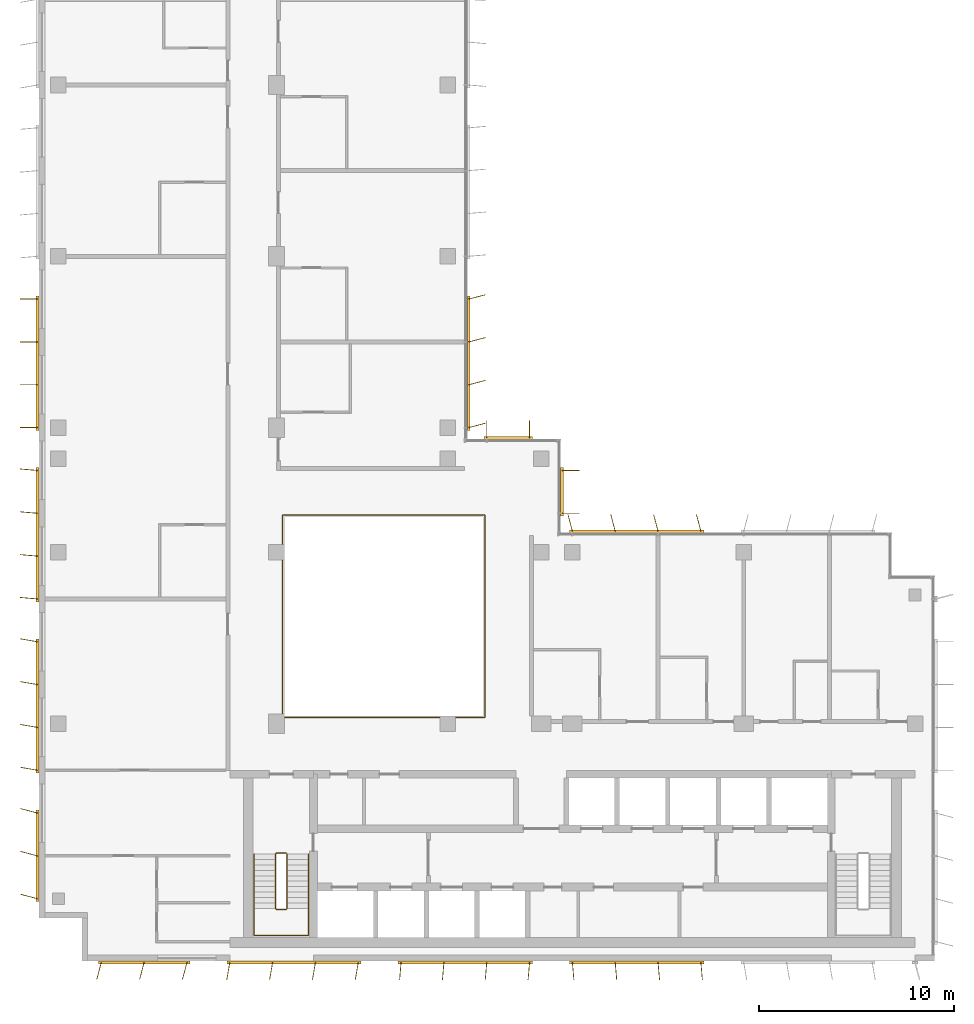
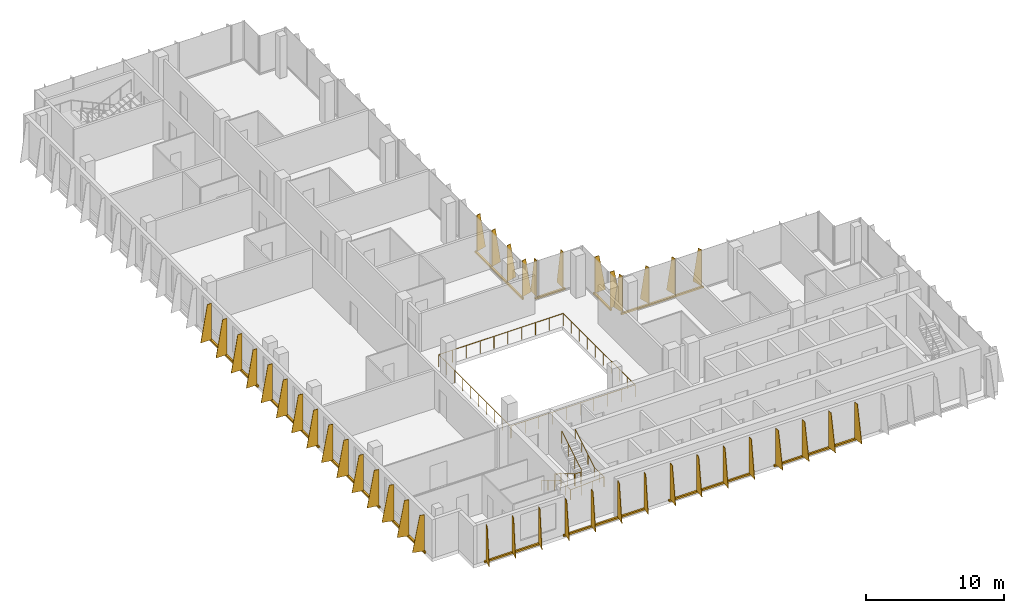
# One storey, part 13 of 15: 12 shading devices, 3 railings.
"""IFC4 building model written with IfcOpenShell, lengths in metres."""

import ifcopenshell
import ifcopenshell.guid

model = None  # the IFC model being written
_history = None  # IfcOwnerHistory: only IFC2X3 demands one
_inside = {}  # id of a spatial element -> (the spatial element, [elements in it])
_under = {}  # id of a project, library or spatial element -> (it, [spatial elements below it])
_declared = {}  # id of a project -> (the project, [libraries it declares])
_typed = {}  # id of a type object -> (the type object, [elements of that type])
_made_of = {}  # id of a material, layer set ... -> (it, [elements and type objects made of it])


def new_model(schema):
    """Start an empty IFC model of exactly this schema.

    Asked for "IFC4X3", IfcOpenShell would pick the latest addendum, in which some entities
    have other attributes; the version numbers below select the first issue.
    IFC2X3 requires an IfcOwnerHistory on every rooted entity: one is made here for all.
    """
    global model, _history
    if schema == "IFC4X3":
        model = ifcopenshell.file(schema_version=(4, 3, 0, 0))
    else:
        model = ifcopenshell.file(schema=schema)
    _inside.clear()
    _under.clear()
    _declared.clear()
    _typed.clear()
    _made_of.clear()
    _history = None
    if model.schema == "IFC2X3":
        org = make("IfcOrganization", Name="unknown")
        user = make(
            "IfcPersonAndOrganization",
            ThePerson=make("IfcPerson", FamilyName="unknown"),
            TheOrganization=org,
        )
        app = make(
            "IfcApplication",
            ApplicationDeveloper=org,
            Version="unknown",
            ApplicationFullName="unknown",
            ApplicationIdentifier="unknown",
        )
        _history = make(
            "IfcOwnerHistory",
            OwningUser=user,
            OwningApplication=app,
            ChangeAction="ADDED",
            CreationDate=0,
        )
    return model


def make(cls, **values):
    """One entity of the class cls with the attributes given. An attribute that is None is left unset."""
    return model.create_entity(
        cls, **{name: value for name, value in values.items() if value is not None}
    )


def rooted(cls, **values):
    """An entity with a GlobalId (a new one), such as an element, a storey or a relation."""
    return make(cls, GlobalId=ifcopenshell.guid.new(), OwnerHistory=_history, **values)


def si_unit(unit_type, name, prefix=None):
    """IfcSIUnit, for example si_unit("LENGTHUNIT", "METRE", prefix="MILLI")."""
    return make("IfcSIUnit", UnitType=unit_type, Prefix=prefix, Name=name)


def assignment(units):
    """IfcUnitAssignment: the units of a project."""
    return None if units is None else make("IfcUnitAssignment", Units=units)


def point(xyz):
    """IfcCartesianPoint."""
    return None if xyz is None else make("IfcCartesianPoint", Coordinates=xyz)


def direction(xyz):
    """IfcDirection."""
    return None if xyz is None else make("IfcDirection", DirectionRatios=xyz)


def frame(location, z_axis=None, x_axis=None):
    """IfcAxis2Placement3D, a coordinate frame: its origin and axes. An axis left out is left unset."""
    return make(
        "IfcAxis2Placement3D",
        Location=point(location),
        Axis=direction(z_axis),
        RefDirection=direction(x_axis),
    )


def frame_2d(location, x_axis=None):
    """IfcAxis2Placement2D, a coordinate frame in the plane: its origin and x axis."""
    return make(
        "IfcAxis2Placement2D", Location=point(location), RefDirection=direction(x_axis)
    )


def origin():
    """The frame at (0, 0, 0) with its axes left unset."""
    return frame((0.0, 0.0, 0.0))


def origin_2d():
    """The frame at (0, 0) in the plane with its x axis left unset."""
    return frame_2d((0.0, 0.0))


def place(relative_to, where):
    """IfcLocalPlacement: puts the frame where relative to a parent placement (None: the world)."""
    return make(
        "IfcLocalPlacement", PlacementRelTo=relative_to, RelativePlacement=where
    )


def context(
    kind, dimensions, precision=None, world=None, true_north=None, identifier=None
):
    """IfcGeometricRepresentationContext, for example the 3D "Model" context."""
    return make(
        "IfcGeometricRepresentationContext",
        ContextIdentifier=identifier,
        ContextType=kind,
        CoordinateSpaceDimension=dimensions,
        Precision=precision,
        WorldCoordinateSystem=world,
        TrueNorth=true_north,
    )


def subcontext(parent, identifier, kind, view, scale=None):
    """IfcGeometricRepresentationSubContext, for example "Body" below "Model"."""
    return make(
        "IfcGeometricRepresentationSubContext",
        ContextIdentifier=identifier,
        ContextType=kind,
        ParentContext=parent,
        TargetScale=scale,
        TargetView=view,
    )


def project(units=None, contexts=None):
    """IfcProject with its units and contexts."""
    return rooted(
        "IfcProject",
        Name="project",
        RepresentationContexts=contexts,
        UnitsInContext=assignment(units),
    )


def spatial(cls, under=None, at=None, **own):
    """A site, building, storey or space (cls), placed at a placement, below another one or the project."""
    s = rooted(cls, ObjectPlacement=at, **own)
    if under is not None:
        _under.setdefault(under.id(), (under, []))[1].append(s)
    return s


def polyline(points):
    """IfcPolyline through the points."""
    return make("IfcPolyline", Points=[point(p) for p in points])


def profile(cls, at=None, kind="AREA", **sizes):
    """A parametric profile (cls). Its sizes go by their IFC names, for example OverallWidth=200.0."""
    return make(cls, ProfileType=kind, Position=at, **sizes)


def rectangle(**sizes):
    """IfcRectangleProfileDef."""
    return profile("IfcRectangleProfileDef", **sizes)


def circle(**sizes):
    """IfcCircleProfileDef."""
    return profile("IfcCircleProfileDef", **sizes)


def outline(outer, holes=None, kind="AREA"):
    """IfcArbitraryClosedProfileDef: a profile drawn as a closed curve; with holes, ...WithVoids."""
    if holes is None:
        return make("IfcArbitraryClosedProfileDef", ProfileType=kind, OuterCurve=outer)
    return make(
        "IfcArbitraryProfileDefWithVoids",
        ProfileType=kind,
        OuterCurve=outer,
        InnerCurves=holes,
    )


def extrude(swept, where, along, depth):
    """IfcExtrudedAreaSolid: the profile swept, set in the frame where, extruded along a direction by depth."""
    return make(
        "IfcExtrudedAreaSolid",
        SweptArea=swept,
        Position=where,
        ExtrudedDirection=direction(along),
        Depth=depth,
    )


def shape(context_of_items, identifier, shape_type, items):
    """IfcShapeRepresentation: the items that make up one representation, for example the "Body"."""
    return make(
        "IfcShapeRepresentation",
        ContextOfItems=context_of_items,
        RepresentationIdentifier=identifier,
        RepresentationType=shape_type,
        Items=items,
    )


def source(mapping_origin, context_of_items, identifier, shape_type, items):
    """IfcRepresentationMap: a shape defined once, which mapped items show again and again."""
    return make(
        "IfcRepresentationMap",
        MappingOrigin=mapping_origin,
        MappedRepresentation=shape(context_of_items, identifier, shape_type, items),
    )


def transform(
    local_origin,
    x_axis=None,
    y_axis=None,
    z_axis=None,
    scale=None,
    scale2=None,
    scale3=None,
    uniform=True,
):
    """IfcCartesianTransformationOperator3D, or its non-uniform kind. x_axis, y_axis, z_axis: its Axis1, 2, 3."""
    if uniform:
        return make(
            "IfcCartesianTransformationOperator3D",
            Axis1=direction(x_axis),
            Axis2=direction(y_axis),
            LocalOrigin=point(local_origin),
            Scale=scale,
            Axis3=direction(z_axis),
        )
    return make(
        "IfcCartesianTransformationOperator3DnonUniform",
        Axis1=direction(x_axis),
        Axis2=direction(y_axis),
        LocalOrigin=point(local_origin),
        Scale=scale,
        Axis3=direction(z_axis),
        Scale2=scale2,
        Scale3=scale3,
    )


def mapped(mapping_source, mapping_target):
    """IfcMappedItem: shows the shape of a source again, moved by a transform."""
    return make(
        "IfcMappedItem", MappingSource=mapping_source, MappingTarget=mapping_target
    )


def material(Name=None, Category=None):
    """IfcMaterial."""
    return make("IfcMaterial", Name=Name, Category=Category)


def layer(
    of_material, thickness, ventilated=None, Name=None, Category=None, Priority=None
):
    """IfcMaterialLayer: one layer of a wall or slab, of a material (None: an air gap)."""
    return make(
        "IfcMaterialLayer",
        Material=of_material,
        LayerThickness=thickness,
        IsVentilated=ventilated,
        Name=Name,
        Category=Category,
        Priority=Priority,
    )


def layer_set(layers, Name=None):
    """IfcMaterialLayerSet."""
    return make("IfcMaterialLayerSet", MaterialLayers=layers, LayerSetName=Name)


def made_of(thing, what):
    """Note that an element or type object is made of a material, layer set ...; save() writes the relation."""
    if what is not None:
        _made_of.setdefault(what.id(), (what, []))[1].append(thing)
    return thing


def type_object(cls, material=None, **own):
    """A type object (cls), such as IfcWallType, which elements share."""
    return made_of(rooted(cls, **own), material)


def element(
    cls,
    number,
    at=None,
    inside=None,
    cuts=None,
    type_object=None,
    material=None,
    context=None,
    identifier="Body",
    shape_type=None,
    held_by="IfcProductDefinitionShape",
    body=None,
    shapes=None,
    **own,
):
    """One element of the class cls, such as IfcWall. Its Tag is "e" and its number.

    at: its placement. inside: the storey or other place that contains it. cuts: it is an
    opening in that element (IfcRelVoidsElement). A single representation is given by context,
    identifier, shape_type and body (its items); several are given by shapes. held_by: the class
    of the entity that holds the representations. save() writes the other relations.
    """
    e = rooted(cls, Tag="e%d" % number, ObjectPlacement=at, **own)
    if body is not None:
        shapes = [shape(context, identifier, shape_type, body)]
    if shapes is not None:
        e.Representation = make(held_by, Representations=shapes)
    if inside is not None:
        _inside.setdefault(inside.id(), (inside, []))[1].append(e)
    if cuts is not None:
        rooted(
            "IfcRelVoidsElement", RelatingBuildingElement=cuts, RelatedOpeningElement=e
        )
    if type_object is not None:
        _typed.setdefault(type_object.id(), (type_object, []))[1].append(e)
    return made_of(e, material)


def aggregate(whole, parts):
    """IfcRelAggregates: a whole, such as a stair, and the parts it consists of."""
    return rooted("IfcRelAggregates", RelatingObject=whole, RelatedObjects=parts)


def save(model, path):
    """Write the relations noted so far, then the file.

    IfcRelAggregates (storeys below a building ...), IfcRelContainedInSpatialStructure (elements
    in a storey), IfcRelDefinesByType, IfcRelAssociatesMaterial and IfcRelDeclares: one each for
    every whole, place, type object, material and project.
    """
    for whole, parts in _under.values():
        aggregate(whole, parts)
    for where, things in _inside.values():
        rooted(
            "IfcRelContainedInSpatialStructure",
            RelatedElements=things,
            RelatingStructure=where,
        )
    for kind, things in _typed.values():
        rooted("IfcRelDefinesByType", RelatedObjects=things, RelatingType=kind)
    for what, things in _made_of.values():
        rooted("IfcRelAssociatesMaterial", RelatedObjects=things, RelatingMaterial=what)
    for by, libraries in _declared.values():
        rooted("IfcRelDeclares", RelatingContext=by, RelatedDefinitions=libraries)
    model.write(path)


model = new_model("IFC4")

# Units and contexts
model_context = context("Model", 3, precision=1e-05, world=origin(), true_north=direction((0.0, 1.0)))
body_context = subcontext(model_context, "Body", "Model", "MODEL_VIEW")
ifc_project = project(units=[si_unit("LENGTHUNIT", "METRE"), si_unit("AREAUNIT", "SQUARE_METRE"), si_unit("VOLUMEUNIT", "CUBIC_METRE"), si_unit("PLANEANGLEUNIT", "RADIAN"), si_unit("MASSUNIT", "GRAM", prefix="KILO")], contexts=[model_context])

# Site, building, storey
site_placement = place(None, origin())
site = spatial("IfcSite", under=ifc_project, at=site_placement, CompositionType="ELEMENT")
building_placement = place(site_placement, origin())
building = spatial("IfcBuilding", under=site, at=building_placement, Name="Kemantara Hotel Tower", CompositionType="ELEMENT")
storey_placement = place(building_placement, frame((0.0, 0.0, 290.699951171875)))
storey = spatial("IfcBuildingStorey", under=building, at=storey_placement, Name="L73", CompositionType="ELEMENT", Elevation=290.699951171875)

# Railings
ifc_material_1 = material(Name="Stainless steel and laminated glass balustrade", Category="steel")
railing_type_1 = type_object("IfcRailingType", Name="ATRIUM GUARD 1100", PredefinedType="GUARDRAIL", material=ifc_material_1)
railing_1_placement = place(storey_placement, frame((12.56005859375, 12.5, 0.0)))
element("IfcRailing", 1, at=railing_1_placement, inside=storey, type_object=railing_type_1, Name="ATRIUM GUARD L73", PredefinedType="GUARDRAIL", context=body_context, shape_type="SweptSolid", body=[
    extrude(circle(Radius=0.02490234375, at=origin_2d()), frame((0.0, 0.0, 1.0751953125), z_axis=(1.0, 0.0, 0.0), x_axis=(0.0, 1.0, 0.0)), (0.0, 0.0, 1.0), 10.33984375),
    extrude(circle(Radius=0.02490234375, at=origin_2d()), frame((10.33984375, 0.0, 1.0751953125), z_axis=(0.0, 1.0, 0.0), x_axis=(-1.0, 0.0, 0.0)), (0.0, 0.0, 1.0), 10.39990234375),
    extrude(circle(Radius=0.02490234375, at=origin_2d()), frame((10.33984375, 10.39990234375, 1.0751953125), z_axis=(-1.0, 0.0, 0.0), x_axis=(0.0, -1.0, 0.0)), (0.0, 0.0, 1.0), 10.39990234375),
    extrude(circle(Radius=0.02490234375, at=origin_2d()), frame((-0.06005859375, 10.39990234375, 1.0751953125), z_axis=(0.0, -1.0, 0.0), x_axis=(1.0, 0.0, 0.0)), (0.0, 0.0, 1.0), 10.39990234375),
    extrude(circle(Radius=0.02001953125, at=origin_2d()), origin(), (0.0, 0.0, 1.0), 1.050048828125),
    extrude(circle(Radius=0.02001953125, at=origin_2d()), frame((1.14892578125, 0.0, 0.0)), (0.0, 0.0, 1.0), 1.050048828125),
    extrude(circle(Radius=0.02001953125, at=origin_2d()), frame((2.2978515625, 0.0, 0.0)), (0.0, 0.0, 1.0), 1.050048828125),
    extrude(circle(Radius=0.02001953125, at=origin_2d()), frame((3.446533203125, 0.0, 0.0)), (0.0, 0.0, 1.0), 1.050048828125),
    extrude(circle(Radius=0.02001953125, at=origin_2d()), frame((4.595458984375, 0.0, 0.0)), (0.0, 0.0, 1.0), 1.050048828125),
    extrude(circle(Radius=0.02001953125, at=origin_2d()), frame((5.744384765625, 0.0, 0.0)), (0.0, 0.0, 1.0), 1.050048828125),
    extrude(circle(Radius=0.02001953125, at=origin_2d()), frame((6.893310546875, 0.0, 0.0)), (0.0, 0.0, 1.0), 1.050048828125),
    extrude(circle(Radius=0.02001953125, at=origin_2d()), frame((8.0419921875, 0.0, 0.0)), (0.0, 0.0, 1.0), 1.050048828125),
    extrude(circle(Radius=0.02001953125, at=origin_2d()), frame((9.19091796875, 0.0, 0.0)), (0.0, 0.0, 1.0), 1.050048828125),
    extrude(circle(Radius=0.02001953125, at=origin_2d()), frame((10.33984375, 0.0, 0.0)), (0.0, 0.0, 1.0), 1.050048828125),
    extrude(circle(Radius=0.02001953125, at=origin_2d()), frame((10.33984375, 1.155517578125, 0.0)), (0.0, 0.0, 1.0), 1.050048828125),
    extrude(circle(Radius=0.02001953125, at=origin_2d()), frame((10.33984375, 2.31103515625, 0.0)), (0.0, 0.0, 1.0), 1.050048828125),
    extrude(circle(Radius=0.02001953125, at=origin_2d()), frame((10.33984375, 3.466552734375, 0.0)), (0.0, 0.0, 1.0), 1.050048828125),
    extrude(circle(Radius=0.02001953125, at=origin_2d()), frame((10.33984375, 4.6220703125, 0.0)), (0.0, 0.0, 1.0), 1.050048828125),
    extrude(circle(Radius=0.02001953125, at=origin_2d()), frame((10.33984375, 5.77783203125, 0.0)), (0.0, 0.0, 1.0), 1.050048828125),
    extrude(circle(Radius=0.02001953125, at=origin_2d()), frame((10.33984375, 6.933349609375, 0.0)), (0.0, 0.0, 1.0), 1.050048828125),
    extrude(circle(Radius=0.02001953125, at=origin_2d()), frame((10.33984375, 8.0888671875, 0.0)), (0.0, 0.0, 1.0), 1.050048828125),
    extrude(circle(Radius=0.02001953125, at=origin_2d()), frame((10.33984375, 9.244384765625, 0.0)), (0.0, 0.0, 1.0), 1.050048828125),
    extrude(circle(Radius=0.02001953125, at=origin_2d()), frame((10.33984375, 10.39990234375, 0.0)), (0.0, 0.0, 1.0), 1.050048828125),
    extrude(circle(Radius=0.02001953125, at=origin_2d()), frame((9.184326171875, 10.39990234375, 0.0)), (0.0, 0.0, 1.0), 1.050048828125),
    extrude(circle(Radius=0.02001953125, at=origin_2d()), frame((8.02880859375, 10.39990234375, 0.0)), (0.0, 0.0, 1.0), 1.050048828125),
    extrude(circle(Radius=0.02001953125, at=origin_2d()), frame((6.873291015625, 10.39990234375, 0.0)), (0.0, 0.0, 1.0), 1.050048828125),
    extrude(circle(Radius=0.02001953125, at=origin_2d()), frame((5.7177734375, 10.39990234375, 0.0)), (0.0, 0.0, 1.0), 1.050048828125),
    extrude(circle(Radius=0.02001953125, at=origin_2d()), frame((4.56201171875, 10.39990234375, 0.0)), (0.0, 0.0, 1.0), 1.050048828125),
    extrude(circle(Radius=0.02001953125, at=origin_2d()), frame((3.406494140625, 10.39990234375, 0.0)), (0.0, 0.0, 1.0), 1.050048828125),
    extrude(circle(Radius=0.02001953125, at=origin_2d()), frame((2.2509765625, 10.39990234375, 0.0)), (0.0, 0.0, 1.0), 1.050048828125),
    extrude(circle(Radius=0.02001953125, at=origin_2d()), frame((1.095458984375, 10.39990234375, 0.0)), (0.0, 0.0, 1.0), 1.050048828125),
    extrude(circle(Radius=0.02001953125, at=origin_2d()), frame((-0.06005859375, 10.39990234375, 0.0)), (0.0, 0.0, 1.0), 1.050048828125),
    extrude(circle(Radius=0.02001953125, at=origin_2d()), frame((-0.06005859375, 9.244384765625, 0.0)), (0.0, 0.0, 1.0), 1.050048828125),
    extrude(circle(Radius=0.02001953125, at=origin_2d()), frame((-0.06005859375, 8.0888671875, 0.0)), (0.0, 0.0, 1.0), 1.050048828125),
    extrude(circle(Radius=0.02001953125, at=origin_2d()), frame((-0.06005859375, 6.933349609375, 0.0)), (0.0, 0.0, 1.0), 1.050048828125),
    extrude(circle(Radius=0.02001953125, at=origin_2d()), frame((-0.06005859375, 5.77783203125, 0.0)), (0.0, 0.0, 1.0), 1.050048828125),
    extrude(circle(Radius=0.02001953125, at=origin_2d()), frame((-0.06005859375, 4.6220703125, 0.0)), (0.0, 0.0, 1.0), 1.050048828125),
    extrude(circle(Radius=0.02001953125, at=origin_2d()), frame((-0.06005859375, 3.466552734375, 0.0)), (0.0, 0.0, 1.0), 1.050048828125),
    extrude(circle(Radius=0.02001953125, at=origin_2d()), frame((-0.06005859375, 2.31103515625, 0.0)), (0.0, 0.0, 1.0), 1.050048828125),
    extrude(circle(Radius=0.02001953125, at=origin_2d()), frame((-0.06005859375, 1.155517578125, 0.0)), (0.0, 0.0, 1.0), 1.050048828125),
    extrude(circle(Radius=0.02001953125, at=origin_2d()), frame((-0.06005859375, 0.0, 0.0)), (0.0, 0.0, 1.0), 1.050048828125),
])
ifc_material_2 = material(Name="Stainless steel balustrade", Category="steel")
railing_type_2 = type_object("IfcRailingType", Name="Stair guard 1100 mm", PredefinedType="GUARDRAIL", material=ifc_material_2)
railing_2_placement = place(storey_placement, frame((12.75, 5.5, 3.699951171875)))
element("IfcRailing", 2, at=railing_2_placement, inside=storey, type_object=railing_type_2, Name="L73 ST1 stair guard 1", PredefinedType="GUARDRAIL", context=body_context, shape_type="SweptSolid", body=[
    extrude(circle(Radius=0.02392578125, at=origin_2d()), frame((0.0, 0.0, 1.076171875), z_axis=(0.0, -0.857275202839, -0.514858452973), x_axis=(1.0, 0.0, 0.0)), (0.0, 0.0, 1.0), 3.26611328125),
    extrude(circle(Radius=0.02392578125, at=origin_2d()), frame((0.0, -2.800048828125, -0.60546875), z_axis=(-0.274243871929, -0.274243871929, -0.92172696468), x_axis=(0.707106781187, -0.707106781187, 0.0)), (0.0, 0.0, 1.0), 0.1826171875),
    extrude(circle(Radius=0.02392578125, at=origin_2d()), frame((-0.050048828125, -2.85009765625, -0.77392578125), z_axis=(-1.0, 0.0, 0.0), x_axis=(0.0, -1.0, 0.0)), (0.0, 0.0, 1.0), 0.5),
    extrude(circle(Radius=0.02392578125, at=origin_2d()), frame((-0.550048828125, -2.85009765625, -0.77392578125), z_axis=(-0.707106781187, 0.707106781187, 0.0), x_axis=(-0.707106781187, -0.707106781187, 0.0)), (0.0, 0.0, 1.0), 0.07080078125),
    extrude(circle(Radius=0.02392578125, at=origin_2d()), frame((-0.60009765625, -2.800048828125, -0.77392578125), z_axis=(0.0, 0.857242210791, -0.514913383045), x_axis=(-1.0, 0.0, 0.0)), (0.0, 0.0, 1.0), 3.266357421875),
    extrude(circle(Radius=0.02392578125, at=origin_2d()), frame((-0.60009765625, 0.0, -2.45556640625), z_axis=(0.274243871929, 0.274243871929, -0.92172696468), x_axis=(-0.707106781187, 0.707106781187, 0.0)), (0.0, 0.0, 1.0), 0.1826171875),
    extrude(circle(Radius=0.02392578125, at=origin_2d()), frame((-0.550048828125, 0.050048828125, -2.6240234375), z_axis=(1.0, 0.0, 0.0), x_axis=(0.0, 1.0, 0.0)), (0.0, 0.0, 1.0), 0.5),
    extrude(circle(Radius=0.02099609375, at=origin_2d()), origin(), (0.0, 0.0, 1.0), 1.052001953125),
    extrude(circle(Radius=0.02099609375, at=origin_2d()), frame((0.0, -0.933349609375, -0.560546875)), (0.0, 0.0, 1.0), 1.052001953125),
    extrude(circle(Radius=0.02099609375, at=origin_2d()), frame((0.0, -1.86669921875, -1.12109375)), (0.0, 0.0, 1.0), 1.052001953125),
    extrude(circle(Radius=0.02099609375, at=origin_2d()), frame((0.0, -2.800048828125, -1.681640625)), (0.0, 0.0, 1.0), 1.052001953125),
    extrude(circle(Radius=0.02099609375, at=origin_2d()), frame((-0.050048828125, -2.85009765625, -1.849853515625)), (0.0, 0.0, 1.0), 1.052001953125),
    extrude(circle(Radius=0.02099609375, at=origin_2d()), frame((-0.550048828125, -2.85009765625, -1.849853515625)), (0.0, 0.0, 1.0), 1.052001953125),
    extrude(circle(Radius=0.02099609375, at=origin_2d()), frame((-0.60009765625, -2.800048828125, -1.849853515625)), (0.0, 0.0, 1.0), 1.052001953125),
    extrude(circle(Radius=0.02099609375, at=origin_2d()), frame((-0.60009765625, -1.86669921875, -2.410400390625)), (0.0, 0.0, 1.0), 1.052001953125),
    extrude(circle(Radius=0.02099609375, at=origin_2d()), frame((-0.60009765625, -0.933349609375, -2.97119140625)), (0.0, 0.0, 1.0), 1.052001953125),
    extrude(circle(Radius=0.02099609375, at=origin_2d()), frame((-0.60009765625, 0.0, -3.53173828125)), (0.0, 0.0, 1.0), 1.052001953125),
    extrude(circle(Radius=0.02099609375, at=origin_2d()), frame((-0.550048828125, 0.050048828125, -3.699951171875)), (0.0, 0.0, 1.0), 1.052001953125),
    extrude(circle(Radius=0.02099609375, at=origin_2d()), frame((-0.050048828125, 0.050048828125, -3.699951171875)), (0.0, 0.0, 1.0), 1.052001953125),
])
railing_type_3 = type_object("IfcRailingType", Name="Stair handrail 900 mm", PredefinedType="HANDRAIL", material=ifc_material_2)
railing_3_placement = place(storey_placement, frame((11.050048828125, 5.5, 0.168212890625)))
element("IfcRailing", 3, at=railing_3_placement, inside=storey, type_object=railing_type_3, Name="L73 ST1 stair handrail 1", PredefinedType="HANDRAIL", context=body_context, shape_type="SweptSolid", body=[
    extrude(circle(Radius=0.02392578125, at=origin_2d()), frame((0.0, 0.0, 0.8759765625), z_axis=(0.0, -0.857242210791, 0.514913383045), x_axis=(1.0, 0.0, 0.0)), (0.0, 0.0, 1.0), 3.266357421875),
    extrude(circle(Radius=0.02392578125, at=origin_2d()), frame((0.0, -2.800048828125, 2.5576171875), z_axis=(0.0, -1.0, 0.0), x_axis=(1.0, 0.0, 0.0)), (0.0, 0.0, 1.0), 1.3798828125),
    extrude(circle(Radius=0.02392578125, at=origin_2d()), frame((0.0, -4.179931640625, 2.5576171875), z_axis=(0.998200367801, 0.0, 0.059966871865), x_axis=(0.0, 1.0, 0.0)), (0.0, 0.0, 1.0), 2.80517578125),
    extrude(circle(Radius=0.02392578125, at=origin_2d()), frame((2.800048828125, -4.179931640625, 2.72607421875), z_axis=(0.0, 1.0, 0.0), x_axis=(-1.0, 0.0, 0.0)), (0.0, 0.0, 1.0), 1.3798828125),
    extrude(circle(Radius=0.02392578125, at=origin_2d()), frame((2.800048828125, -2.800048828125, 2.72607421875), z_axis=(0.0, 0.857275202839, 0.514858452973), x_axis=(-1.0, 0.0, 0.0)), (0.0, 0.0, 1.0), 3.26611328125),
    extrude(circle(Radius=0.02099609375, at=origin_2d()), origin(), (0.0, 0.0, 1.0), 0.851806640625),
    extrude(circle(Radius=0.02099609375, at=origin_2d()), frame((0.0, -0.933349609375, 0.560546875)), (0.0, 0.0, 1.0), 0.851806640625),
    extrude(circle(Radius=0.02099609375, at=origin_2d()), frame((0.0, -1.86669921875, 1.121337890625)), (0.0, 0.0, 1.0), 0.851806640625),
    extrude(circle(Radius=0.02099609375, at=origin_2d()), frame((0.0, -2.800048828125, 1.681884765625)), (0.0, 0.0, 1.0), 0.851806640625),
    extrude(circle(Radius=0.02099609375, at=origin_2d()), frame((0.0, -3.489990234375, 1.681884765625)), (0.0, 0.0, 1.0), 0.851806640625),
    extrude(circle(Radius=0.02099609375, at=origin_2d()), frame((0.0, -4.179931640625, 1.681884765625)), (0.0, 0.0, 1.0), 0.851806640625),
    extrude(circle(Radius=0.02099609375, at=origin_2d()), frame((0.933349609375, -4.179931640625, 1.738037109375)), (0.0, 0.0, 1.0), 0.851806640625),
    extrude(circle(Radius=0.02099609375, at=origin_2d()), frame((1.86669921875, -4.179931640625, 1.7939453125)), (0.0, 0.0, 1.0), 0.851806640625),
    extrude(circle(Radius=0.02099609375, at=origin_2d()), frame((2.800048828125, -4.179931640625, 1.85009765625)), (0.0, 0.0, 1.0), 0.851806640625),
    extrude(circle(Radius=0.02099609375, at=origin_2d()), frame((2.800048828125, -3.489990234375, 1.85009765625)), (0.0, 0.0, 1.0), 0.851806640625),
    extrude(circle(Radius=0.02099609375, at=origin_2d()), frame((2.800048828125, -2.800048828125, 1.85009765625)), (0.0, 0.0, 1.0), 0.851806640625),
    extrude(circle(Radius=0.02099609375, at=origin_2d()), frame((2.800048828125, -1.86669921875, 2.41064453125)), (0.0, 0.0, 1.0), 0.851806640625),
    extrude(circle(Radius=0.02099609375, at=origin_2d()), frame((2.800048828125, -0.933349609375, 2.97119140625)), (0.0, 0.0, 1.0), 0.851806640625),
    extrude(circle(Radius=0.02099609375, at=origin_2d()), frame((2.800048828125, 0.0, 3.53173828125)), (0.0, 0.0, 1.0), 0.851806640625),
])

# Shading devices
ifc_material_3 = material(Name="Perforated aluminium plate 4 mm bronze anodised", Category="aluminium")
ifc_layer_1 = layer(ifc_material_3, 0.0400390625)
ifc_layer_set_1 = layer_set([ifc_layer_1], Name="Perforated aluminium plate 4 mm bronze anodised")
shading_device_type_1 = type_object("IfcShadingDeviceType", Name="SCREEN FIN CASSETTE, 3 BLADES AT -15.0 DEG, 3200 HIGH", PredefinedType="USERDEFINED", material=ifc_layer_set_1)
shared_shape_1 = source(origin(), body_context, "Body", "SweptSolid", [
    extrude(rectangle(XDim=4.699951171875, YDim=0.14990234375, at=origin_2d()), frame((2.199951171875, -0.074951171875, -0.14990234375), z_axis=(0.0, 0.0, 1.0), x_axis=(1.0, 0.0, 0.0)), (0.0, 0.0, 1.0), 0.14990234375),
    extrude(outline(polyline([(0.0, 0.0), (0.89990234375, 0.0), (0.35009765625, 3.199951171875), (0.0, 3.199951171875), (0.0, 0.0)])), frame((0.019287109375, -0.080078125, 0.0), z_axis=(-0.966437683387, 0.256901156343, 0.0), x_axis=(-0.256901156343, -0.966437683387, 0.0)), (0.0, 0.0, 1.0), 0.039794921875),
    extrude(outline(polyline([(0.0, 0.0), (0.89990234375, 0.0), (0.35009765625, 3.199951171875), (0.0, 3.199951171875), (0.0, 0.0)])), frame((2.21923828125, -0.080078125, 0.0), z_axis=(-0.966437683387, 0.256901156343, 0.0), x_axis=(-0.256901156343, -0.966437683387, 0.0)), (0.0, 0.0, 1.0), 0.039794921875),
    extrude(outline(polyline([(0.0, 0.0), (0.89990234375, 0.0), (0.35009765625, 3.199951171875), (0.0, 3.199951171875), (0.0, 0.0)])), frame((4.41943359375, -0.080078125, 0.0), z_axis=(-0.966837822169, 0.255391122837, 0.0), x_axis=(-0.255391122837, -0.966837822169, 0.0)), (0.0, 0.0, 1.0), 0.0400390625),
])
for number, where, z_axis, x_axis, name in (
    (4, (0.0, 7.60009765625, 0.10009765625), (0.0, 0.0, 1.0), (0.0, -1.0, 0.0), "SCREEN FIN CASSETTE L73 T4-R05-7"),
    (5, (3.199951171875, 0.0, 0.10009765625), (0.0, 0.0, 1.0), (1.0, 0.0, 0.0), "SCREEN FIN CASSETTE L73 T4-R08-1"),
):
    element("IfcShadingDevice", number, at=place(storey_placement, frame(where, z_axis=z_axis, x_axis=x_axis)), inside=storey, type_object=shading_device_type_1, Name=name, ObjectType="SCREEN FIN", PredefinedType="USERDEFINED", context=body_context, shape_type="MappedRepresentation", body=[
        mapped(shared_shape_1, transform((0.0, 0.0, 0.0))),
    ])
ifc_layer_2 = layer(ifc_material_3, 0.0400390625)
ifc_layer_set_2 = layer_set([ifc_layer_2], Name="Perforated aluminium plate 4 mm bronze anodised")
shading_device_type_2 = type_object("IfcShadingDeviceType", Name="SCREEN FIN CASSETTE, 4 BLADES AT -10.0 DEG, 3200 HIGH", PredefinedType="USERDEFINED", material=ifc_layer_set_2)
shared_shape_2 = source(origin(), body_context, "Body", "SweptSolid", [
    extrude(rectangle(XDim=6.89990234375, YDim=0.14990234375, at=origin_2d()), frame((3.300048828125, -0.074951171875, -0.14990234375), z_axis=(0.0, 0.0, 1.0), x_axis=(1.0, 0.0, 0.0)), (0.0, 0.0, 1.0), 0.14990234375),
    extrude(outline(polyline([(0.0, 0.0), (0.89990234375, 0.0), (0.35009765625, 3.199951171875), (0.0, 3.199951171875), (0.0, 0.0)])), frame((0.019775390625, -0.078369140625, 0.0), z_axis=(-0.985389793052, 0.170314285219, 0.0), x_axis=(-0.170314285219, -0.985389793052, 0.0)), (0.0, 0.0, 1.0), 0.0400390625),
    extrude(outline(polyline([(0.0, 0.0), (0.89990234375, 0.0), (0.35009765625, 3.199951171875), (0.0, 3.199951171875), (0.0, 0.0)])), frame((2.2197265625, -0.078369140625, 0.0), z_axis=(-0.98521175482, 0.171341174751, 0.0), x_axis=(-0.171341174751, -0.98521175482, 0.0)), (0.0, 0.0, 1.0), 0.039794921875),
    extrude(outline(polyline([(0.0, 0.0), (0.89990234375, 0.0), (0.35009765625, 3.199951171875), (0.0, 3.199951171875), (0.0, 0.0)])), frame((4.419677734375, -0.078369140625, 0.0), z_axis=(-0.98521175482, 0.171341174751, 0.0), x_axis=(-0.171341174751, -0.98521175482, 0.0)), (0.0, 0.0, 1.0), 0.039794921875),
    extrude(outline(polyline([(0.0, 0.0), (0.89990234375, 0.0), (0.35009765625, 3.199951171875), (0.0, 3.199951171875), (0.0, 0.0)])), frame((6.61962890625, -0.078369140625, 0.0), z_axis=(-0.98521175482, 0.171341174751, 0.0), x_axis=(-0.171341174751, -0.98521175482, 0.0)), (0.0, 0.0, 1.0), 0.039794921875),
])
for number, where, z_axis, x_axis, name in (
    (6, (0.0, 16.39990234375, 0.10009765625), (0.0, 0.0, 1.0), (0.0, -1.0, 0.0), "SCREEN FIN CASSETTE L73 T4-R05-6"),
    (7, (9.800048828125, 0.0, 0.10009765625), (0.0, 0.0, 1.0), (1.0, 0.0, 0.0), "SCREEN FIN CASSETTE L73 T4-R08-2"),
):
    element("IfcShadingDevice", number, at=place(storey_placement, frame(where, z_axis=z_axis, x_axis=x_axis)), inside=storey, type_object=shading_device_type_2, Name=name, ObjectType="SCREEN FIN", PredefinedType="USERDEFINED", context=body_context, shape_type="MappedRepresentation", body=[
        mapped(shared_shape_2, transform((0.0, 0.0, 0.0))),
    ])
ifc_layer_3 = layer(ifc_material_3, 0.0400390625)
ifc_layer_set_3 = layer_set([ifc_layer_3], Name="Perforated aluminium plate 4 mm bronze anodised")
shading_device_type_3 = type_object("IfcShadingDeviceType", Name="SCREEN FIN CASSETTE, 4 BLADES AT -5.0 DEG, 3200 HIGH", PredefinedType="USERDEFINED", material=ifc_layer_set_3)
shared_shape_3 = source(origin(), body_context, "Body", "SweptSolid", [
    extrude(rectangle(XDim=6.89990234375, YDim=0.14990234375, at=origin_2d()), frame((3.300048828125, -0.074951171875, -0.14990234375), z_axis=(0.0, 0.0, 1.0), x_axis=(1.0, 0.0, 0.0)), (0.0, 0.0, 1.0), 0.14990234375),
    extrude(outline(polyline([(0.0, 0.0), (0.89990234375, 0.0), (0.35009765625, 3.199951171875), (0.0, 3.199951171875), (0.0, 0.0)])), frame((0.02001953125, -0.07666015625, 0.0), z_axis=(-0.996376129781, 0.085056498884, 0.0), x_axis=(-0.085056498884, -0.996376129781, 0.0)), (0.0, 0.0, 1.0), 0.040283203125),
    extrude(outline(polyline([(0.0, 0.0), (0.89990234375, 0.0), (0.35009765625, 3.199951171875), (0.0, 3.199951171875), (0.0, 0.0)])), frame((2.219970703125, -0.07666015625, 0.0), z_axis=(-0.996331773833, 0.085574508182, 0.0), x_axis=(-0.085574508182, -0.996331773833, 0.0)), (0.0, 0.0, 1.0), 0.0400390625),
    extrude(outline(polyline([(0.0, 0.0), (0.89990234375, 0.0), (0.35009765625, 3.199951171875), (0.0, 3.199951171875), (0.0, 0.0)])), frame((4.419921875, -0.07666015625, 0.0), z_axis=(-0.996331773833, 0.085574508182, 0.0), x_axis=(-0.085574508182, -0.996331773833, 0.0)), (0.0, 0.0, 1.0), 0.0400390625),
    extrude(outline(polyline([(0.0, 0.0), (0.89990234375, 0.0), (0.35009765625, 3.199951171875), (0.0, 3.199951171875), (0.0, 0.0)])), frame((6.619873046875, -0.07666015625, 0.0), z_axis=(-0.996331773833, 0.085574508182, 0.0), x_axis=(-0.085574508182, -0.996331773833, 0.0)), (0.0, 0.0, 1.0), 0.0400390625),
])
for number, where, z_axis, x_axis, name in (
    (8, (0.0, 25.199951171875, 0.10009765625), (0.0, 0.0, 1.0), (0.0, -1.0, 0.0), "SCREEN FIN CASSETTE L73 T4-R05-5"),
    (9, (18.60009765625, 0.0, 0.10009765625), (0.0, 0.0, 1.0), (1.0, 0.0, 0.0), "SCREEN FIN CASSETTE L73 T4-R08-3"),
):
    element("IfcShadingDevice", number, at=place(storey_placement, frame(where, z_axis=z_axis, x_axis=x_axis)), inside=storey, type_object=shading_device_type_3, Name=name, ObjectType="SCREEN FIN", PredefinedType="USERDEFINED", context=body_context, shape_type="MappedRepresentation", body=[
        mapped(shared_shape_3, transform((0.0, 0.0, 0.0))),
    ])
ifc_layer_4 = layer(ifc_material_3, 0.0400390625)
ifc_layer_set_4 = layer_set([ifc_layer_4], Name="Perforated aluminium plate 4 mm bronze anodised")
shading_device_type_4 = type_object("IfcShadingDeviceType", Name="SCREEN FIN CASSETTE, 4 BLADES AT +0.0 DEG, 3200 HIGH", PredefinedType="USERDEFINED", material=ifc_layer_set_4)
shared_shape_4 = source(origin(), body_context, "Body", "SweptSolid", [
    extrude(rectangle(XDim=6.89990234375, YDim=0.14990234375, at=origin_2d()), frame((3.300048828125, -0.074951171875, -0.14990234375), z_axis=(0.0, 0.0, 1.0), x_axis=(1.0, 0.0, 0.0)), (0.0, 0.0, 1.0), 0.14990234375),
    extrude(outline(polyline([(0.0, 0.0), (0.89990234375, 0.0), (0.35009765625, 3.199951171875), (0.0, 3.199951171875), (0.0, 0.0)])), frame((0.02001953125, -0.074951171875, 0.0), z_axis=(-1.0, 0.0, 0.0), x_axis=(0.0, -1.0, 0.0)), (0.0, 0.0, 1.0), 0.0400390625),
    extrude(outline(polyline([(0.0, 0.0), (0.89990234375, 0.0), (0.35009765625, 3.199951171875), (0.0, 3.199951171875), (0.0, 0.0)])), frame((2.219970703125, -0.074951171875, 0.0), z_axis=(-1.0, 0.0, 0.0), x_axis=(0.0, -1.0, 0.0)), (0.0, 0.0, 1.0), 0.0400390625),
    extrude(outline(polyline([(0.0, 0.0), (0.89990234375, 0.0), (0.35009765625, 3.199951171875), (0.0, 3.199951171875), (0.0, 0.0)])), frame((4.419921875, -0.074951171875, 0.0), z_axis=(-1.0, 0.0, 0.0), x_axis=(0.0, -1.0, 0.0)), (0.0, 0.0, 1.0), 0.0400390625),
    extrude(outline(polyline([(0.0, 0.0), (0.89990234375, 0.0), (0.35009765625, 3.199951171875), (0.0, 3.199951171875), (0.0, 0.0)])), frame((6.6201171875, -0.074951171875, 0.0), z_axis=(-1.0, 0.0, 0.0), x_axis=(0.0, -1.0, 0.0)), (0.0, 0.0, 1.0), 0.0400390625),
])
shading_device_1_placement = place(storey_placement, frame((0.0, 34.0, 0.10009765625), z_axis=(0.0, 0.0, 1.0), x_axis=(0.0, -1.0, 0.0)))
element("IfcShadingDevice", 10, at=shading_device_1_placement, inside=storey, type_object=shading_device_type_4, Name="SCREEN FIN CASSETTE L73 T4-R05-4", ObjectType="SCREEN FIN", PredefinedType="USERDEFINED", context=body_context, shape_type="MappedRepresentation", body=[
    mapped(shared_shape_4, transform((0.0, 0.0, 0.0))),
])
ifc_layer_5 = layer(ifc_material_3, 0.0400390625)
ifc_layer_set_5 = layer_set([ifc_layer_5], Name="Perforated aluminium plate 4 mm bronze anodised")
shading_device_type_5 = type_object("IfcShadingDeviceType", Name="SCREEN FIN CASSETTE, 4 BLADES AT +5.0 DEG, 3200 HIGH", PredefinedType="USERDEFINED", material=ifc_layer_set_5)
shared_shape_5 = source(origin(), body_context, "Body", "SweptSolid", [
    extrude(rectangle(XDim=6.89990234375, YDim=0.14990234375, at=origin_2d()), frame((3.300048828125, -0.074951171875, -0.14990234375), z_axis=(0.0, 0.0, 1.0), x_axis=(1.0, 0.0, 0.0)), (0.0, 0.0, 1.0), 0.14990234375),
    extrude(outline(polyline([(0.0, 0.0), (0.89990234375, 0.0), (0.35009765625, 3.199951171875), (0.0, 3.199951171875), (0.0, 0.0)])), frame((0.02001953125, -0.0732421875, 0.0), z_axis=(-0.996376129781, -0.085056498884, 0.0), x_axis=(0.085056498884, -0.996376129781, 0.0)), (0.0, 0.0, 1.0), 0.040283203125),
    extrude(outline(polyline([(0.0, 0.0), (0.89990234375, 0.0), (0.35009765625, 3.199951171875), (0.0, 3.199951171875), (0.0, 0.0)])), frame((2.219970703125, -0.0732421875, 0.0), z_axis=(-0.996331773833, -0.085574508182, 0.0), x_axis=(0.085574508182, -0.996331773833, 0.0)), (0.0, 0.0, 1.0), 0.0400390625),
    extrude(outline(polyline([(0.0, 0.0), (0.89990234375, 0.0), (0.35009765625, 3.199951171875), (0.0, 3.199951171875), (0.0, 0.0)])), frame((4.419921875, -0.0732421875, 0.0), z_axis=(-0.996331773833, -0.085574508182, 0.0), x_axis=(0.085574508182, -0.996331773833, 0.0)), (0.0, 0.0, 1.0), 0.0400390625),
    extrude(outline(polyline([(0.0, 0.0), (0.89990234375, 0.0), (0.35009765625, 3.199951171875), (0.0, 3.199951171875), (0.0, 0.0)])), frame((6.619873046875, -0.0732421875, 0.0), z_axis=(-0.996331773833, -0.085574508182, 0.0), x_axis=(0.085574508182, -0.996331773833, 0.0)), (0.0, 0.0, 1.0), 0.0400390625),
])
shading_device_2_placement = place(storey_placement, frame((27.39990234375, 0.0, 0.10009765625), z_axis=(0.0, 0.0, 1.0), x_axis=(1.0, 0.0, 0.0)))
element("IfcShadingDevice", 11, at=shading_device_2_placement, inside=storey, type_object=shading_device_type_5, Name="SCREEN FIN CASSETTE L73 T4-R08-4", ObjectType="SCREEN FIN", PredefinedType="USERDEFINED", context=body_context, shape_type="MappedRepresentation", body=[
    mapped(shared_shape_5, transform((0.0, 0.0, 0.0))),
])
ifc_layer_6 = layer(ifc_material_3, 0.0400390625)
ifc_layer_set_6 = layer_set([ifc_layer_6], Name="Perforated aluminium plate 4 mm bronze anodised")
shading_device_type_6 = type_object("IfcShadingDeviceType", Name="SCREEN FIN CASSETTE, 4 BLADES AT +15.0 DEG, 3200 HIGH", PredefinedType="USERDEFINED", material=ifc_layer_set_6)
shared_shape_6 = source(origin(), body_context, "Body", "SweptSolid", [
    extrude(rectangle(XDim=6.89990234375, YDim=0.14990234375, at=origin_2d()), frame((3.300048828125, -0.074951171875, -0.14990234375), z_axis=(0.0, 0.0, 1.0), x_axis=(1.0, 0.0, 0.0)), (0.0, 0.0, 1.0), 0.14990234375),
    extrude(outline(polyline([(0.0, 0.0), (0.89990234375, 0.0), (0.35009765625, 3.199951171875), (0.0, 3.199951171875), (0.0, 0.0)])), frame((0.019287109375, -0.06982421875, 0.0), z_axis=(-0.966437683387, -0.256901156343, 0.0), x_axis=(0.256901156343, -0.966437683387, 0.0)), (0.0, 0.0, 1.0), 0.039794921875),
    extrude(outline(polyline([(0.0, 0.0), (0.89990234375, 0.0), (0.35009765625, 3.199951171875), (0.0, 3.199951171875), (0.0, 0.0)])), frame((2.21923828125, -0.06982421875, 0.0), z_axis=(-0.966437683387, -0.256901156343, 0.0), x_axis=(0.256901156343, -0.966437683387, 0.0)), (0.0, 0.0, 1.0), 0.039794921875),
    extrude(outline(polyline([(0.0, 0.0), (0.89990234375, 0.0), (0.35009765625, 3.199951171875), (0.0, 3.199951171875), (0.0, 0.0)])), frame((4.41943359375, -0.06982421875, 0.0), z_axis=(-0.966837822169, -0.255391122837, 0.0), x_axis=(0.255391122837, -0.966837822169, 0.0)), (0.0, 0.0, 1.0), 0.0400390625),
    extrude(outline(polyline([(0.0, 0.0), (0.89990234375, 0.0), (0.35009765625, 3.199951171875), (0.0, 3.199951171875), (0.0, 0.0)])), frame((6.619384765625, -0.06982421875, 0.0), z_axis=(-0.966837822169, -0.255391122837, 0.0), x_axis=(0.255391122837, -0.966837822169, 0.0)), (0.0, 0.0, 1.0), 0.0400390625),
])
for number, where, z_axis, x_axis, name in (
    (12, (34.0, 22.0, 0.10009765625), (0.0, 0.0, 1.0), (-1.0, 0.0, 0.0), "SCREEN FIN CASSETTE L73 T4-R12-2"),
    (13, (22.0, 27.39990234375, 0.10009765625), (0.0, 0.0, 1.0), (0.0, 1.0, 0.0), "SCREEN FIN CASSETTE L73 T4-R15-1"),
):
    element("IfcShadingDevice", number, at=place(storey_placement, frame(where, z_axis=z_axis, x_axis=x_axis)), inside=storey, type_object=shading_device_type_6, Name=name, ObjectType="SCREEN FIN", PredefinedType="USERDEFINED", context=body_context, shape_type="MappedRepresentation", body=[
        mapped(shared_shape_6, transform((0.0, 0.0, 0.0))),
    ])
ifc_layer_7 = layer(ifc_material_3, 0.0400390625)
ifc_layer_set_7 = layer_set([ifc_layer_7], Name="Perforated aluminium plate 4 mm bronze anodised")
shading_device_type_7 = type_object("IfcShadingDeviceType", Name="SCREEN FIN CASSETTE, 2 BLADES AT +0.0 DEG, 3200 HIGH", PredefinedType="USERDEFINED", material=ifc_layer_set_7)
shared_shape_7 = source(origin(), body_context, "Body", "SweptSolid", [
    extrude(rectangle(XDim=2.5, YDim=0.14990234375, at=origin_2d()), frame((1.10009765625, -0.074951171875, -0.14990234375), z_axis=(0.0, 0.0, 1.0), x_axis=(1.0, 0.0, 0.0)), (0.0, 0.0, 1.0), 0.14990234375),
    extrude(outline(polyline([(0.0, 0.0), (0.89990234375, 0.0), (0.35009765625, 3.199951171875), (0.0, 3.199951171875), (0.0, 0.0)])), frame((0.02001953125, -0.074951171875, 0.0), z_axis=(-1.0, 0.0, 0.0), x_axis=(0.0, -1.0, 0.0)), (0.0, 0.0, 1.0), 0.0400390625),
    extrude(outline(polyline([(0.0, 0.0), (0.89990234375, 0.0), (0.35009765625, 3.199951171875), (0.0, 3.199951171875), (0.0, 0.0)])), frame((2.219970703125, -0.074951171875, 0.0), z_axis=(-1.0, 0.0, 0.0), x_axis=(0.0, -1.0, 0.0)), (0.0, 0.0, 1.0), 0.0400390625),
])
for number, where, z_axis, x_axis, name in (
    (14, (26.800048828125, 23.0, 0.10009765625), (0.0, 0.0, 1.0), (0.0, 1.0, 0.0), "SCREEN FIN CASSETTE L73 T4-R13-1"),
    (15, (25.199951171875, 26.800048828125, 0.10009765625), (0.0, 0.0, 1.0), (-1.0, 0.0, 0.0), "SCREEN FIN CASSETTE L73 T4-R14-1"),
):
    element("IfcShadingDevice", number, at=place(storey_placement, frame(where, z_axis=z_axis, x_axis=x_axis)), inside=storey, type_object=shading_device_type_7, Name=name, ObjectType="SCREEN FIN", PredefinedType="USERDEFINED", context=body_context, shape_type="MappedRepresentation", body=[
        mapped(shared_shape_7, transform((0.0, 0.0, 0.0))),
    ])

save(model, "model.ifc")
